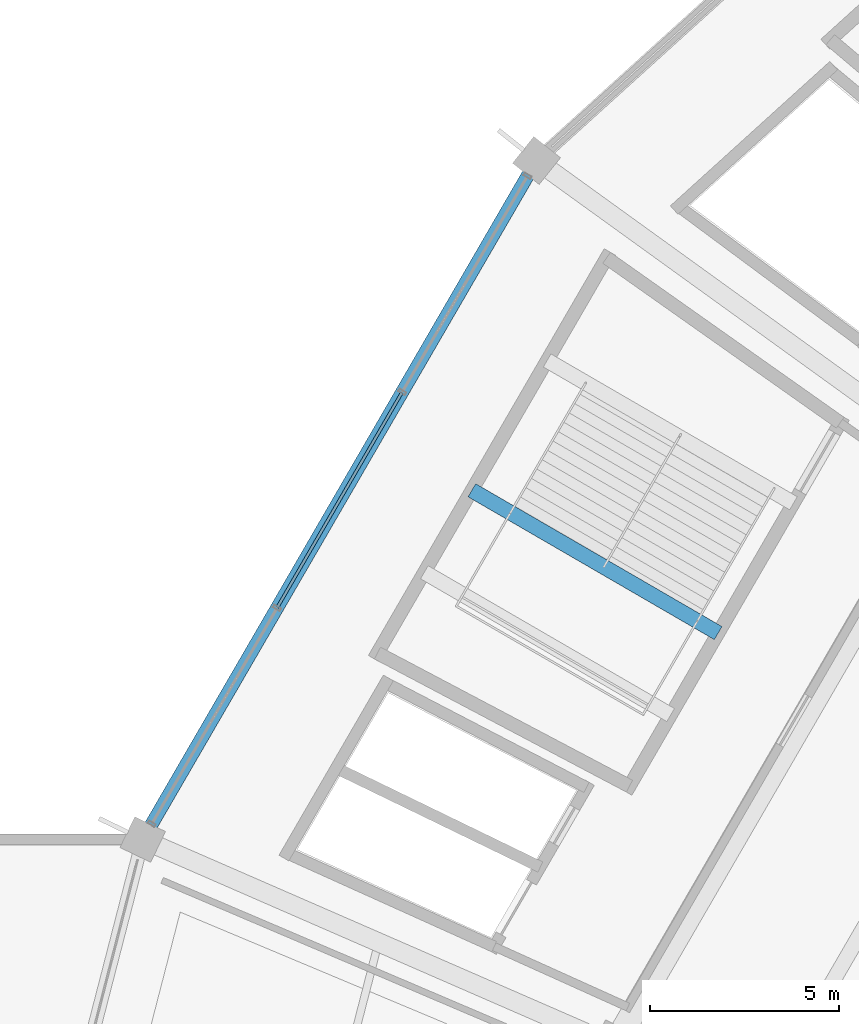
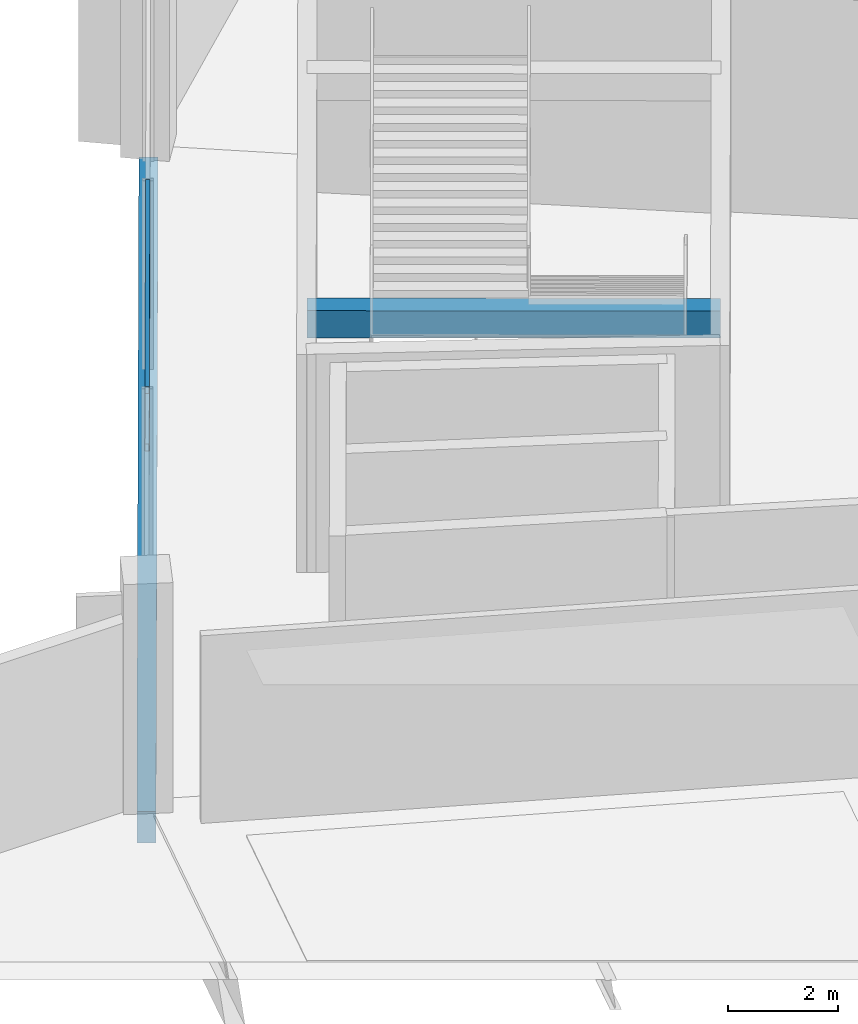
# One storey, part 93 of 184: 2 beams, 2 members, 1 element without a shape of its own.
"""IFC4 building model written with IfcOpenShell, lengths in metres."""

from ifc_helpers import new_model, si_unit, direction, frame, origin, origin_2d, place, context, subcontext, project, spatial, rectangle, hollow_rectangle, extrude, material, layer, layer_set, material_profile, profile_set, type_object, element, aggregate, save


model = new_model("IFC4")

# Units and contexts
model_context = context("Model", 3, precision=1e-05, world=origin(), true_north=direction((0.0, 1.0)))
body_context = subcontext(model_context, "Body", "Model", "MODEL_VIEW")
ifc_project = project(units=[si_unit("LENGTHUNIT", "METRE"), si_unit("AREAUNIT", "SQUARE_METRE"), si_unit("VOLUMEUNIT", "CUBIC_METRE"), si_unit("PLANEANGLEUNIT", "RADIAN"), si_unit("MASSUNIT", "GRAM", prefix="KILO")], contexts=[model_context])

# Site, building, storey
site_placement = place(None, origin())
site = spatial("IfcSite", under=ifc_project, at=site_placement, CompositionType="ELEMENT")
building_placement = place(site_placement, origin())
building = spatial("IfcBuilding", under=site, at=building_placement, Name="Kazemori Nagisa Stadium", CompositionType="ELEMENT")
storey_placement = place(building_placement, frame((0.0, 0.0, 10.5400390625)))
storey = spatial("IfcBuildingStorey", under=building, at=storey_placement, Name="L02", CompositionType="ELEMENT", Elevation=10.5400390625)

# Beams
ifc_material_1 = material(Name="Concrete C40/50 (Fc42)", Category="concrete")
ifc_material_profile_1 = material_profile(ifc_material_1, rectangle(XDim=0.39990234375, YDim=0.60009765625, at=origin_2d()), Name="RC-BM-400x600")
ifc_profile_set_1 = profile_set([ifc_material_profile_1], Name="Concrete C40/50 (Fc42)")
beam_type_1 = type_object("IfcBeamType", Name="Beam_BG-LND400X600", PredefinedType="BEAM", material=ifc_profile_set_1)
beam_1_placement = place(storey_placement, frame((49.29931640625, 146.196044921875, 2.050048828125), z_axis=(-0.865086463473, 0.50162277731, 0.0), x_axis=(-0.50162277731, -0.865086463473, 0.0)))
element("IfcBeam", 1, at=beam_1_placement, inside=storey, type_object=beam_type_1, Name="Core stair mid-landing girder ST08-L02-1", PredefinedType="BEAM", context=body_context, shape_type="SweptSolid", body=[
    extrude(rectangle(XDim=0.39990234375, YDim=0.60009765625, at=origin_2d()), origin(), (0.0, 0.0, 1.0), 7.513671875),
])
ifc_material_profile_2 = material_profile(ifc_material_1, rectangle(XDim=0.35009765625, YDim=0.699951171875, at=origin_2d()), Name="RC-SP-350x700")
ifc_profile_set_2 = profile_set([ifc_material_profile_2], Name="Concrete C40/50 (Fc42)")
beam_type_2 = type_object("IfcBeamType", Name="Beam_BS-RC350X700", PredefinedType="SPANDREL", material=ifc_profile_set_2)
beam_2_placement = place(storey_placement, frame((44.504638671875, 158.667724609375, -0.610107421875), z_axis=(-0.50161277459, -0.8650922635, 0.0), x_axis=(0.8650922635, -0.50161277459, 0.0)))
element("IfcBeam", 2, at=beam_2_placement, inside=storey, type_object=beam_type_2, Name="Ring girder BS-RC350X700 L02 R3-12", PredefinedType="SPANDREL", context=body_context, shape_type="SweptSolid", body=[
    extrude(rectangle(XDim=0.35009765625, YDim=0.699951171875, at=origin_2d()), origin(), (0.0, 0.0, 1.0), 20.71240234375),
])

# Curtain wall, members
ifc_material_2 = material(Name="Anodised aluminium 6063-T5", Category="aluminium")
ifc_layer = layer(ifc_material_2, 0.2099609375, Name="Anodised aluminium 6063-T5", Category="aluminium")
ifc_layer_set = layer_set([ifc_layer], Name="Anodised aluminium 6063-T5")
curtain_wall_type = type_object("IfcCurtainWallType", Name="CW_L02R3_99", PredefinedType="USERDEFINED", material=ifc_layer_set)
curtain_wall_placement = place(storey_placement, origin())
curtain_wall = element("IfcCurtainWall", 3, at=curtain_wall_placement, inside=storey, type_object=curtain_wall_type, Name="Unitised curtain wall CW-L02R3-99 L02", ObjectType="UNITISED CURTAIN WALL", PredefinedType="USERDEFINED")
ifc_material_3 = material(Name="Aluminium 6063-T5 anodised", Category="aluminium")
ifc_material_profile_3 = material_profile(ifc_material_3, hollow_rectangle(XDim=0.080078125, YDim=0.159912109375, WallThickness=0.00390625, at=origin_2d()), Name="ALU-TRAN-80x160x4")
ifc_profile_set_3 = profile_set([ifc_material_profile_3], Name="Aluminium 6063-T5 anodised")
member_type = type_object("IfcMemberType", Name="Transom_T02", PredefinedType="USERDEFINED", material=ifc_profile_set_3)
member_1_placement = place(storey_placement, frame((40.951904296875, 152.540771484375, 2.84912109375), z_axis=(-0.501590295943, -0.865105297069, 0.0), x_axis=(0.865105297069, -0.501590295943, 0.0)))
member_1 = element("IfcMember", 4, at=member_1_placement, type_object=member_type, Name="Curtain wall transom CW-L02R3-99-T2-mid", ObjectType="TRANSOM", PredefinedType="USERDEFINED", context=body_context, shape_type="SweptSolid", body=[
    extrude(hollow_rectangle(XDim=0.080078125, YDim=0.159912109375, WallThickness=0.00390625, at=origin_2d()), origin(), (0.0, 0.0, 1.0), 6.547607421875),
])
member_2_placement = place(storey_placement, frame((40.951904296875, 152.540771484375, 4.119873046875), z_axis=(-0.501590295943, -0.865105297069, 0.0), x_axis=(0.865105297069, -0.501590295943, 0.0)))
member_2 = element("IfcMember", 5, at=member_2_placement, type_object=member_type, Name="Curtain wall transom CW-L02R3-99-T2-head", ObjectType="TRANSOM", PredefinedType="USERDEFINED", context=body_context, shape_type="SweptSolid", body=[
    extrude(hollow_rectangle(XDim=0.080078125, YDim=0.159912109375, WallThickness=0.00390625, at=origin_2d()), origin(), (0.0, 0.0, 1.0), 6.547607421875),
])
aggregate(curtain_wall, [member_1, member_2])

save(model, "model.ifc")
